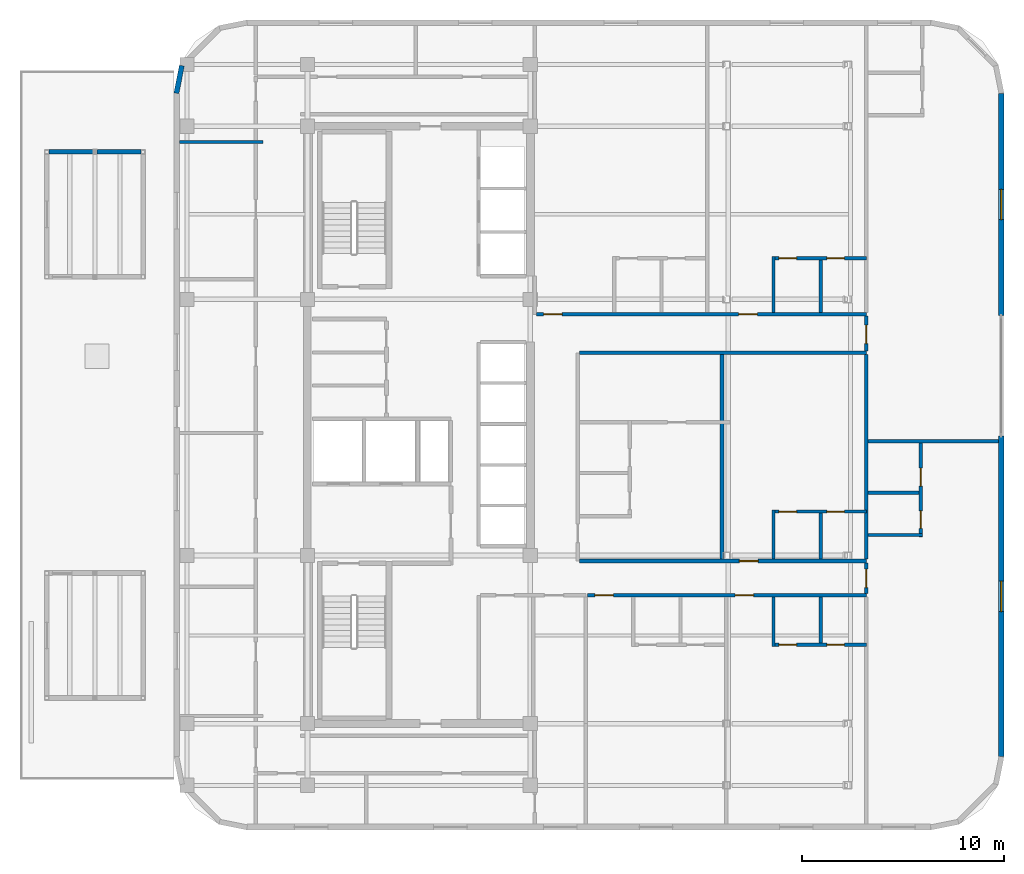
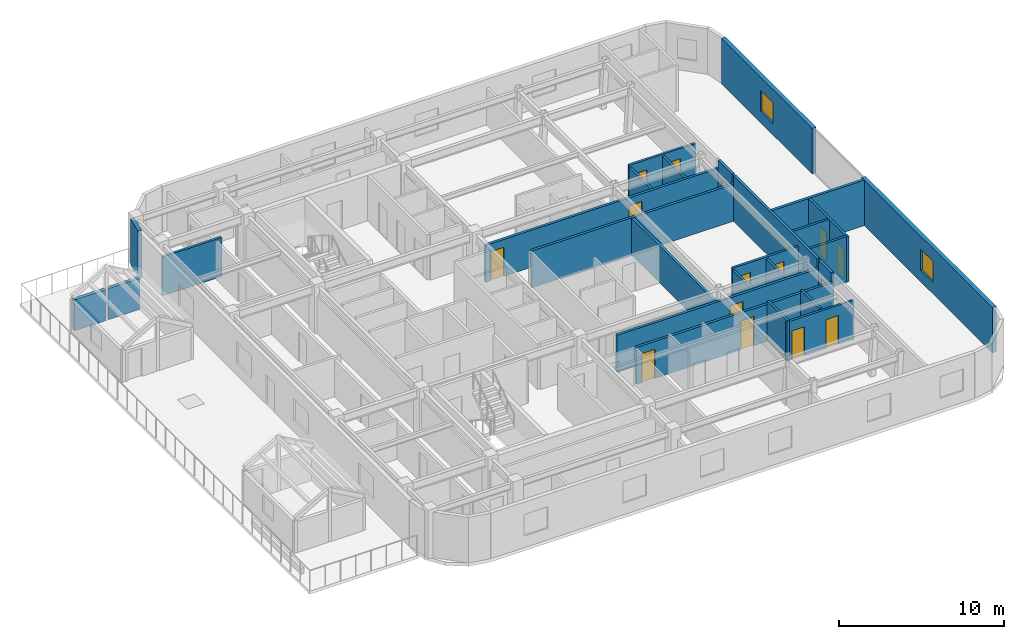
# One storey, part 14 of 16: 27 walls, 15 doors, 2 windows, 17 openings.
"""IFC4 building model written with IfcOpenShell, lengths in metres."""

from ifc_helpers import new_model, si_unit, direction, frame, frame_2d, origin, place, context, subcontext, project, spatial, rectangle, extrude, material, layer, layer_set, type_object, element, fill, save


model = new_model("IFC4")

# Units and contexts
model_context = context("Model", 3, precision=1e-05, world=origin(), true_north=direction((0.0, 1.0)))
body_context = subcontext(model_context, "Body", "Model", "MODEL_VIEW")
ifc_project = project(units=[si_unit("LENGTHUNIT", "METRE"), si_unit("AREAUNIT", "SQUARE_METRE"), si_unit("VOLUMEUNIT", "CUBIC_METRE"), si_unit("PLANEANGLEUNIT", "RADIAN"), si_unit("MASSUNIT", "GRAM", prefix="KILO")], contexts=[model_context])

# Site, building, storey
site_placement = place(None, origin())
site = spatial("IfcSite", under=ifc_project, at=site_placement, CompositionType="ELEMENT")
building_placement = place(site_placement, origin())
building = spatial("IfcBuilding", under=site, at=building_placement, Name="Ochreholt Gables", CompositionType="ELEMENT")
storey_placement = place(building_placement, frame((0.0, 0.0, 141.0)))
storey = spatial("IfcBuildingStorey", under=building, at=storey_placement, Name="L36", CompositionType="ELEMENT", Elevation=141.0)

# Wall, opening, window
ifc_material_1 = material(Name="Precast concrete 40 MPa", Category="concrete")
ifc_layer_1 = layer(ifc_material_1, 0.280029296875, Name="Precast concrete 40 MPa")
ifc_layer_set_1 = layer_set([ifc_layer_1], Name="Precast concrete 40 MPa")
wall_type_1 = type_object("IfcWallType", Name="WALL-EXT-280", PredefinedType="SOLIDWALL", material=ifc_layer_set_1)
wall_1_placement = place(storey_placement, frame((58.4599609375, 7.6201171875, 0.0), z_axis=(0.0, 0.0, 1.0), x_axis=(0.0, 1.0, 0.0)))
wall_1 = element("IfcWall", 1, at=wall_1_placement, inside=storey, type_object=wall_type_1, Name="L36 East Facade Wall 1", PredefinedType="SOLIDWALL", context=body_context, shape_type="SweptSolid", body=[
    extrude(rectangle(XDim=15.829833984375, YDim=0.280029296875, at=frame_2d((7.9150390625, 0.0))), origin(), (0.0, 0.0, 1.0), 3.360107421875),
])
opening_1_placement = place(wall_1_placement, frame((7.1650390625, 0.0, 0.85009765625)))
opening_1 = element("IfcOpeningElement", 2, at=opening_1_placement, cuts=wall_1, Name="Opening WN-2", PredefinedType="OPENING", context=body_context, shape_type="SweptSolid", body=[
    extrude(rectangle(XDim=1.5, YDim=1.550048828125, at=frame_2d((0.75, 0.77490234375))), frame((0.0, 0.14990234375, 0.0), z_axis=(0.0, -1.0, 0.0), x_axis=(1.0, 0.0, 0.0)), (0.0, 0.0, 1.0), 0.300048828125),
])
ifc_material_2 = material(Name="Triple-Glazed Thermally Broken Aluminium Window", Category="aluminium")
window_type = type_object("IfcWindowType", Name="WIN-RES-1500", PartitioningType="SINGLE_PANEL", PredefinedType="WINDOW", material=ifc_material_2)
window_1_placement = place(opening_1_placement, origin())
window_1 = element("IfcWindow", 3, at=window_1_placement, inside=storey, type_object=window_type, Name="L36 Window W-EXT-E1-L36-1", OverallHeight=1.550048828125, OverallWidth=1.5, PartitioningType="SINGLE_PANEL", PredefinedType="WINDOW", context=body_context, shape_type="SweptSolid", body=[
    extrude(rectangle(XDim=1.5, YDim=1.550048828125, at=frame_2d((0.75, 0.77490234375))), frame((0.0, 0.030029296875, 0.0), z_axis=(0.0, -1.0, 0.0), x_axis=(1.0, 0.0, 0.0)), (0.0, 0.0, 1.0), 0.06005859375),
])
fill(opening_1, window_1)

wall_2_placement = place(storey_placement, frame((58.4599609375, 29.39990234375, 0.0), z_axis=(0.0, 0.0, 1.0), x_axis=(0.0, 1.0, 0.0)))
wall_2 = element("IfcWall", 4, at=wall_2_placement, inside=storey, type_object=wall_type_1, Name="L36 East Facade Wall 2", PredefinedType="SOLIDWALL", context=body_context, shape_type="SweptSolid", body=[
    extrude(rectangle(XDim=10.97998046875, YDim=0.280029296875, at=frame_2d((5.489990234375, 0.0))), origin(), (0.0, 0.0, 1.0), 3.360107421875),
])
opening_2_placement = place(wall_2_placement, frame((4.739990234375, 0.0, 0.85009765625)))
opening_2 = element("IfcOpeningElement", 5, at=opening_2_placement, cuts=wall_2, Name="Opening WN-2", PredefinedType="OPENING", context=body_context, shape_type="SweptSolid", body=[
    extrude(rectangle(XDim=1.5, YDim=1.550048828125, at=frame_2d((0.75, 0.77490234375))), frame((0.0, 0.14990234375, 0.0), z_axis=(0.0, -1.0, 0.0), x_axis=(1.0, 0.0, 0.0)), (0.0, 0.0, 1.0), 0.300048828125),
])
window_2_placement = place(opening_2_placement, origin())
window_2 = element("IfcWindow", 6, at=window_2_placement, inside=storey, type_object=window_type, Name="L36 Window W-EXT-E2-L36-1", OverallHeight=1.550048828125, OverallWidth=1.5, PartitioningType="SINGLE_PANEL", PredefinedType="WINDOW", context=body_context, shape_type="SweptSolid", body=[
    extrude(rectangle(XDim=1.5, YDim=1.550048828125, at=frame_2d((0.75, 0.77490234375))), frame((0.0, 0.030029296875, 0.0), z_axis=(0.0, -1.0, 0.0), x_axis=(1.0, 0.0, 0.0)), (0.0, 0.0, 1.0), 0.06005859375),
])
fill(opening_2, window_2)

# Walls
ifc_layer_2 = layer(ifc_material_1, 0.25, Name="Precast concrete 40 MPa")
ifc_layer_set_2 = layer_set([ifc_layer_2], Name="Precast concrete 40 MPa")
wall_type_2 = type_object("IfcWallType", Name="WALL-EXT-CNR", PredefinedType="SOLIDWALL", material=ifc_layer_set_2)
wall_3_placement = place(storey_placement, frame((17.9951171875, 41.74560546875, 0.0), z_axis=(0.0, 0.0, 1.0), x_axis=(-0.195135625965, -0.9807762678, 0.0)))
element("IfcWall", 7, at=wall_3_placement, inside=storey, type_object=wall_type_2, Name="L36 Rounded Corner Wall NW-3", PredefinedType="SOLIDWALL", context=body_context, shape_type="SweptSolid", body=[
    extrude(rectangle(XDim=1.388671875, YDim=0.25, at=frame_2d((0.6943359375, 0.0))), origin(), (0.0, 0.0, 1.0), 3.360107421875),
])
ifc_layer_3 = layer(ifc_material_1, 0.22998046875, Name="Precast concrete 40 MPa")
ifc_layer_set_3 = layer_set([ifc_layer_3], Name="Precast concrete 40 MPa")
wall_type_3 = type_object("IfcWallType", Name="WALL-EXT-GAB", PredefinedType="SOLIDWALL", material=ifc_layer_set_3)
wall_4_placement = place(storey_placement, frame((11.422119140625, 37.485107421875, 0.0), z_axis=(0.0, 0.0, 1.0), x_axis=(1.0, 0.0, 0.0)))
element("IfcWall", 8, at=wall_4_placement, inside=storey, type_object=wall_type_3, Name="L36 Gable End Wall GB-36W2-N1", PredefinedType="SOLIDWALL", context=body_context, shape_type="SweptSolid", body=[
    extrude(rectangle(XDim=2.17578125, YDim=0.22998046875, at=frame_2d((1.087890625, 0.0))), origin(), (0.0, 0.0, 1.0), 2.285400390625),
])
wall_5_placement = place(storey_placement, frame((13.802001953125, 37.485107421875, 0.0), z_axis=(0.0, 0.0, 1.0), x_axis=(1.0, 0.0, 0.0)))
element("IfcWall", 9, at=wall_5_placement, inside=storey, type_object=wall_type_3, Name="L36 Gable End Wall GB-36W2-N2", PredefinedType="SOLIDWALL", context=body_context, shape_type="SweptSolid", body=[
    extrude(rectangle(XDim=2.176025390625, YDim=0.22998046875, at=frame_2d((1.087890625, 0.0))), origin(), (0.0, 0.0, 1.0), 2.285400390625),
])

# Wall, openings, doors
ifc_material_3 = material(Name="Fire-Rated Gypsum Acoustic Partition", Category="gypsum")
ifc_layer_4 = layer(ifc_material_3, 0.179931640625, Name="Fire-Rated Gypsum Acoustic Partition")
ifc_layer_set_4 = layer_set([ifc_layer_4], Name="Fire-Rated Gypsum Acoustic Partition")
wall_type_4 = type_object("IfcWallType", Name="WALL-INT-CR180", PredefinedType="STANDARD", material=ifc_layer_set_4)
wall_6_placement = place(storey_placement, frame((38.032470703125, 15.580078125, 0.0), z_axis=(0.0, 0.0, 1.0), x_axis=(1.0, 0.0, 0.0)))
wall_6 = element("IfcWall", 10, at=wall_6_placement, inside=storey, type_object=wall_type_4, Name="L36 Interior Wall WI-C2SS1-L36", PredefinedType="STANDARD", context=body_context, shape_type="SweptSolid", body=[
    extrude(rectangle(XDim=13.767578125, YDim=0.179931640625, at=frame_2d((6.8837890625, 0.0))), origin(), (0.0, 0.0, 1.0), 2.72998046875),
])
opening_3_placement = place(wall_6_placement, frame((0.357421875, 0.0, 0.0)))
opening_3 = element("IfcOpeningElement", 11, at=opening_3_placement, cuts=wall_6, Name="Opening D-UN1", PredefinedType="OPENING", context=body_context, shape_type="SweptSolid", body=[
    extrude(rectangle(XDim=0.919921875, YDim=2.14990234375, at=frame_2d((0.4599609375, 1.074951171875))), frame((0.0, 0.099853515625, 0.0), z_axis=(0.0, -1.0, 0.0), x_axis=(1.0, 0.0, 0.0)), (0.0, 0.0, 1.0), 0.199951171875),
])
opening_4_placement = place(wall_6_placement, frame((7.282470703125, 0.0, 0.0)))
opening_4 = element("IfcOpeningElement", 12, at=opening_4_placement, cuts=wall_6, Name="Opening D-UN1", PredefinedType="OPENING", context=body_context, shape_type="SweptSolid", body=[
    extrude(rectangle(XDim=0.919921875, YDim=2.14990234375, at=frame_2d((0.4599609375, 1.074951171875))), frame((0.0, 0.099853515625, 0.0), z_axis=(0.0, -1.0, 0.0), x_axis=(1.0, 0.0, 0.0)), (0.0, 0.0, 1.0), 0.199951171875),
])
ifc_material_4 = material(Name="Engineered Oak Timber", Category="wood")
door_type_1 = type_object("IfcDoorType", Name="DR-INT-UNT920", OperationType="NOTDEFINED", PredefinedType="DOOR", material=ifc_material_4)
door_1_placement = place(opening_3_placement, origin())
door_1 = element("IfcDoor", 13, at=door_1_placement, inside=storey, type_object=door_type_1, Name="L36 Door D-U-L36S1-ENT", OperationType="SINGLE_SWING_RIGHT", OverallHeight=2.14990234375, OverallWidth=0.919921875, PredefinedType="DOOR", context=body_context, shape_type="SweptSolid", body=[
    extrude(rectangle(XDim=0.919921875, YDim=2.14990234375, at=frame_2d((0.4599609375, 1.074951171875))), frame((0.0, 0.02490234375, 0.0), z_axis=(0.0, -1.0, 0.0), x_axis=(1.0, 0.0, 0.0)), (0.0, 0.0, 1.0), 0.050048828125),
])
fill(opening_3, door_1)
door_2_placement = place(opening_4_placement, origin())
door_2 = element("IfcDoor", 14, at=door_2_placement, inside=storey, type_object=door_type_1, Name="L36 Door D-U-L36S2-ENT", OperationType="SINGLE_SWING_LEFT", OverallHeight=2.14990234375, OverallWidth=0.919921875, PredefinedType="DOOR", context=body_context, shape_type="SweptSolid", body=[
    extrude(rectangle(XDim=0.919921875, YDim=2.14990234375, at=frame_2d((0.4599609375, 1.074951171875))), frame((0.0, 0.02490234375, 0.0), z_axis=(0.0, -1.0, 0.0), x_axis=(1.0, 0.0, 0.0)), (0.0, 0.0, 1.0), 0.050048828125),
])
fill(opening_4, door_2)

# Wall, opening, door
wall_7_placement = place(storey_placement, frame((37.639892578125, 17.280029296875, 0.0), z_axis=(0.0, 0.0, 1.0), x_axis=(1.0, 0.0, 0.0)))
wall_7 = element("IfcWall", 15, at=wall_7_placement, inside=storey, type_object=wall_type_4, Name="L36 Interior Wall WI-C2SS2-L36", PredefinedType="STANDARD", context=body_context, shape_type="SweptSolid", body=[
    extrude(rectangle(XDim=14.16015625, YDim=0.179931640625, at=frame_2d((7.080078125, 0.0))), origin(), (0.0, 0.0, 1.0), 2.72998046875),
])
opening_5_placement = place(wall_7_placement, frame((7.89501953125, 0.0, 0.0)))
opening_5 = element("IfcOpeningElement", 16, at=opening_5_placement, cuts=wall_7, Name="Opening D-UN1", PredefinedType="OPENING", context=body_context, shape_type="SweptSolid", body=[
    extrude(rectangle(XDim=0.919921875, YDim=2.14990234375, at=frame_2d((0.4599609375, 1.074951171875))), frame((0.0, 0.099853515625, 0.0), z_axis=(0.0, -1.0, 0.0), x_axis=(1.0, 0.0, 0.0)), (0.0, 0.0, 1.0), 0.199951171875),
])
door_3_placement = place(opening_5_placement, origin())
door_3 = element("IfcDoor", 17, at=door_3_placement, inside=storey, type_object=door_type_1, Name="L36 Door D-U-L36M2-ENT", OperationType="SINGLE_SWING_LEFT", OverallHeight=2.14990234375, OverallWidth=0.919921875, PredefinedType="DOOR", context=body_context, shape_type="SweptSolid", body=[
    extrude(rectangle(XDim=0.919921875, YDim=2.14990234375, at=frame_2d((0.4599609375, 1.074951171875))), frame((0.0, 0.02490234375, 0.0), z_axis=(0.0, -1.0, 0.0), x_axis=(1.0, 0.0, 0.0)), (0.0, 0.0, 1.0), 0.050048828125),
])
fill(opening_5, door_3)

# Wall
wall_8_placement = place(storey_placement, frame((37.639892578125, 27.56005859375, 0.0), z_axis=(0.0, 0.0, 1.0), x_axis=(1.0, 0.0, 0.0)))
element("IfcWall", 18, at=wall_8_placement, inside=storey, type_object=wall_type_4, Name="L36 Interior Wall WI-C2SN1-L36", PredefinedType="STANDARD", context=body_context, shape_type="SweptSolid", body=[
    extrude(rectangle(XDim=14.16015625, YDim=0.179931640625, at=frame_2d((7.080078125, 0.0))), origin(), (0.0, 0.0, 1.0), 2.72998046875),
])

# Wall, openings, doors
wall_9_placement = place(storey_placement, frame((35.510009765625, 29.4599609375, 0.0), z_axis=(0.0, 0.0, 1.0), x_axis=(1.0, 0.0, 0.0)))
wall_9 = element("IfcWall", 19, at=wall_9_placement, inside=storey, type_object=wall_type_4, Name="L36 Interior Wall WI-C2SN2-L36", PredefinedType="STANDARD", context=body_context, shape_type="SweptSolid", body=[
    extrude(rectangle(XDim=16.2900390625, YDim=0.179931640625, at=frame_2d((8.14501953125, 0.0))), origin(), (0.0, 0.0, 1.0), 2.72998046875),
])
opening_6_placement = place(wall_9_placement, frame((0.35009765625, 0.0, 0.0)))
opening_6 = element("IfcOpeningElement", 20, at=opening_6_placement, cuts=wall_9, Name="Opening D-UN1", PredefinedType="OPENING", context=body_context, shape_type="SweptSolid", body=[
    extrude(rectangle(XDim=0.919921875, YDim=2.14990234375, at=frame_2d((0.4599609375, 1.074951171875))), frame((0.0, 0.099853515625, 0.0), z_axis=(0.0, -1.0, 0.0), x_axis=(1.0, 0.0, 0.0)), (0.0, 0.0, 1.0), 0.199951171875),
])
opening_7_placement = place(wall_9_placement, frame((9.987548828125, 0.0, 0.0)))
opening_7 = element("IfcOpeningElement", 21, at=opening_7_placement, cuts=wall_9, Name="Opening D-UN1", PredefinedType="OPENING", context=body_context, shape_type="SweptSolid", body=[
    extrude(rectangle(XDim=0.919921875, YDim=2.14990234375, at=frame_2d((0.4599609375, 1.074951171875))), frame((0.0, 0.099853515625, 0.0), z_axis=(0.0, -1.0, 0.0), x_axis=(1.0, 0.0, 0.0)), (0.0, 0.0, 1.0), 0.199951171875),
])
door_4_placement = place(opening_6_placement, origin())
door_4 = element("IfcDoor", 22, at=door_4_placement, inside=storey, type_object=door_type_1, Name="L36 Door D-U-L36N1-ENT", OperationType="SINGLE_SWING_RIGHT", OverallHeight=2.14990234375, OverallWidth=0.919921875, PredefinedType="DOOR", context=body_context, shape_type="SweptSolid", body=[
    extrude(rectangle(XDim=0.919921875, YDim=2.14990234375, at=frame_2d((0.4599609375, 1.074951171875))), frame((0.0, 0.02490234375, 0.0), z_axis=(0.0, -1.0, 0.0), x_axis=(1.0, 0.0, 0.0)), (0.0, 0.0, 1.0), 0.050048828125),
])
fill(opening_6, door_4)
door_5_placement = place(opening_7_placement, origin())
door_5 = element("IfcDoor", 23, at=door_5_placement, inside=storey, type_object=door_type_1, Name="L36 Door D-U-L36N2-ENT", OperationType="SINGLE_SWING_LEFT", OverallHeight=2.14990234375, OverallWidth=0.919921875, PredefinedType="DOOR", context=body_context, shape_type="SweptSolid", body=[
    extrude(rectangle(XDim=0.919921875, YDim=2.14990234375, at=frame_2d((0.4599609375, 1.074951171875))), frame((0.0, 0.02490234375, 0.0), z_axis=(0.0, -1.0, 0.0), x_axis=(1.0, 0.0, 0.0)), (0.0, 0.0, 1.0), 0.050048828125),
])
fill(opening_7, door_5)

# Wall, opening, door
wall_10_placement = place(storey_placement, frame((51.800048828125, 15.669921875, 0.0), z_axis=(0.0, 0.0, 1.0), x_axis=(0.0, 1.0, 0.0)))
wall_10 = element("IfcWall", 24, at=wall_10_placement, inside=storey, type_object=wall_type_4, Name="L36 Interior Wall WI-C2SSE-L36", PredefinedType="STANDARD", context=body_context, shape_type="SweptSolid", body=[
    extrude(rectangle(XDim=1.52001953125, YDim=0.179931640625, at=frame_2d((0.760009765625, 0.0))), origin(), (0.0, 0.0, 1.0), 3.360107421875),
])
opening_8_placement = place(wall_10_placement, frame((0.2900390625, 0.0, 0.0)))
opening_8 = element("IfcOpeningElement", 25, at=opening_8_placement, cuts=wall_10, Name="Opening D-UN1", PredefinedType="OPENING", context=body_context, shape_type="SweptSolid", body=[
    extrude(rectangle(XDim=0.919921875, YDim=2.14990234375, at=frame_2d((0.4599609375, 1.074951171875))), frame((0.0, 0.099853515625, 0.0), z_axis=(0.0, -1.0, 0.0), x_axis=(1.0, 0.0, 0.0)), (0.0, 0.0, 1.0), 0.199951171875),
])
door_6_placement = place(opening_8_placement, origin())
door_6 = element("IfcDoor", 26, at=door_6_placement, inside=storey, type_object=door_type_1, Name="L36 Door D-U-L36FES-ENT", OperationType="SINGLE_SWING_RIGHT", OverallHeight=2.14990234375, OverallWidth=0.919921875, PredefinedType="DOOR", context=body_context, shape_type="SweptSolid", body=[
    extrude(rectangle(XDim=0.919921875, YDim=2.14990234375, at=frame_2d((0.4599609375, 1.074951171875))), frame((0.0, 0.02490234375, 0.0), z_axis=(0.0, -1.0, 0.0), x_axis=(1.0, 0.0, 0.0)), (0.0, 0.0, 1.0), 0.050048828125),
])
fill(opening_8, door_6)

wall_11_placement = place(storey_placement, frame((51.800048828125, 27.64990234375, 0.0), z_axis=(0.0, 0.0, 1.0), x_axis=(0.0, 1.0, 0.0)))
wall_11 = element("IfcWall", 27, at=wall_11_placement, inside=storey, type_object=wall_type_4, Name="L36 Interior Wall WI-C2SNE-L36", PredefinedType="STANDARD", context=body_context, shape_type="SweptSolid", body=[
    extrude(rectangle(XDim=1.72021484375, YDim=0.179931640625, at=frame_2d((0.860107421875, 0.0))), origin(), (0.0, 0.0, 1.0), 3.360107421875),
])
opening_9_placement = place(wall_11_placement, frame((0.360107421875, 0.0, 0.0)))
opening_9 = element("IfcOpeningElement", 28, at=opening_9_placement, cuts=wall_11, Name="Opening D-UN1", PredefinedType="OPENING", context=body_context, shape_type="SweptSolid", body=[
    extrude(rectangle(XDim=0.919921875, YDim=2.14990234375, at=frame_2d((0.4599609375, 1.074951171875))), frame((0.0, 0.099853515625, 0.0), z_axis=(0.0, -1.0, 0.0), x_axis=(1.0, 0.0, 0.0)), (0.0, 0.0, 1.0), 0.199951171875),
])
door_7_placement = place(opening_9_placement, origin())
door_7 = element("IfcDoor", 29, at=door_7_placement, inside=storey, type_object=door_type_1, Name="L36 Door D-U-L36FEN-ENT", OperationType="SINGLE_SWING_LEFT", OverallHeight=2.14990234375, OverallWidth=0.919921875, PredefinedType="DOOR", context=body_context, shape_type="SweptSolid", body=[
    extrude(rectangle(XDim=0.919921875, YDim=2.14990234375, at=frame_2d((0.4599609375, 1.074951171875))), frame((0.0, 0.02490234375, 0.0), z_axis=(0.0, -1.0, 0.0), x_axis=(1.0, 0.0, 0.0)), (0.0, 0.0, 1.0), 0.050048828125),
])
fill(opening_9, door_7)

# Walls
ifc_material_5 = material(Name="Double-Stud Acoustic Demising Wall", Category="gypsum")
ifc_layer_5 = layer(ifc_material_5, 0.179931640625, Name="Double-Stud Acoustic Demising Wall")
ifc_layer_set_5 = layer_set([ifc_layer_5], Name="Double-Stud Acoustic Demising Wall")
wall_type_5 = type_object("IfcWallType", Name="WALL-INT-DM180", PredefinedType="PARTITIONING", material=ifc_layer_set_5)
wall_12_placement = place(storey_placement, frame((44.675048828125, 17.3701171875, 0.0), z_axis=(0.0, 0.0, 1.0), x_axis=(0.0, 1.0, 0.0)))
element("IfcWall", 30, at=wall_12_placement, inside=storey, type_object=wall_type_5, Name="L36 Interior Wall WI-C2UDM-L36", PredefinedType="PARTITIONING", context=body_context, shape_type="SweptSolid", body=[
    extrude(rectangle(XDim=10.099853515625, YDim=0.179931640625, at=frame_2d((5.0498046875, 0.0))), origin(), (0.0, 0.0, 1.0), 2.72998046875),
])
wall_13_placement = place(storey_placement, frame((51.800048828125, 17.3701171875, 0.0), z_axis=(0.0, 0.0, 1.0), x_axis=(0.0, 1.0, 0.0)))
element("IfcWall", 31, at=wall_13_placement, inside=storey, type_object=wall_type_5, Name="L36 Interior Wall WI-C2FEW2-L36", PredefinedType="PARTITIONING", context=body_context, shape_type="SweptSolid", body=[
    extrude(rectangle(XDim=10.099853515625, YDim=0.179931640625, at=frame_2d((5.0498046875, 0.0))), origin(), (0.0, 0.0, 1.0), 3.360107421875),
])
wall_14_placement = place(storey_placement, frame((51.889892578125, 23.199951171875, 0.0), z_axis=(0.0, 0.0, 1.0), x_axis=(1.0, 0.0, 0.0)))
element("IfcWall", 32, at=wall_14_placement, inside=storey, type_object=wall_type_5, Name="L36 Interior Wall WI-C2FED-L36", PredefinedType="PARTITIONING", context=body_context, shape_type="SweptSolid", body=[
    extrude(rectangle(XDim=6.43017578125, YDim=0.179931640625, at=frame_2d((3.215087890625, 0.0))), origin(), (0.0, 0.0, 1.0), 3.360107421875),
])

# Wall, openings, doors
ifc_material_6 = material(Name="Moisture-Resistant Plumbing Chase Wall", Category="gypsum")
ifc_layer_6 = layer(ifc_material_6, 0.159912109375, Name="Moisture-Resistant Plumbing Chase Wall")
ifc_layer_set_6 = layer_set([ifc_layer_6], Name="Moisture-Resistant Plumbing Chase Wall")
wall_type_6 = type_object("IfcWallType", Name="WALL-INT-PL160", PredefinedType="PLUMBINGWALL", material=ifc_layer_set_6)
wall_15_placement = place(storey_placement, frame((47.1298828125, 13.139892578125, 0.0), z_axis=(0.0, 0.0, 1.0), x_axis=(1.0, 0.0, 0.0)))
wall_15 = element("IfcWall", 33, at=wall_15_placement, inside=storey, type_object=wall_type_6, Name="L36 Interior Wall WU-L36S2-WY", PredefinedType="PLUMBINGWALL", context=body_context, shape_type="SweptSolid", body=[
    extrude(rectangle(XDim=4.670166015625, YDim=0.159912109375, at=frame_2d((2.3349609375, 0.0))), origin(), (0.0, 0.0, 1.0), 2.87890625),
])
opening_10_placement = place(wall_15_placement, frame((0.35009765625, 0.0, 0.0)))
opening_10 = element("IfcOpeningElement", 34, at=opening_10_placement, cuts=wall_15, Name="Opening D-GN2", PredefinedType="OPENING", context=body_context, shape_type="SweptSolid", body=[
    extrude(rectangle(XDim=0.8798828125, YDim=2.1201171875, at=frame_2d((0.43994140625, 1.06005859375))), frame((0.0, 0.08984375, 0.0), z_axis=(0.0, -1.0, 0.0), x_axis=(1.0, 0.0, 0.0)), (0.0, 0.0, 1.0), 0.179931640625),
])
opening_11_placement = place(wall_15_placement, frame((2.719970703125, 0.0, 0.0)))
opening_11 = element("IfcOpeningElement", 35, at=opening_11_placement, cuts=wall_15, Name="Opening D-BT1", PredefinedType="OPENING", context=body_context, shape_type="SweptSolid", body=[
    extrude(rectangle(XDim=0.860107421875, YDim=2.1201171875, at=frame_2d((0.43017578125, 1.06005859375))), frame((0.0, 0.08984375, 0.0), z_axis=(0.0, -1.0, 0.0), x_axis=(1.0, 0.0, 0.0)), (0.0, 0.0, 1.0), 0.179931640625),
])
door_type_2 = type_object("IfcDoorType", Name="DR-INT-BTH860", OperationType="NOTDEFINED", PredefinedType="DOOR", material=ifc_material_4)
door_8_placement = place(opening_11_placement, origin())
door_8 = element("IfcDoor", 36, at=door_8_placement, inside=storey, type_object=door_type_2, Name="L36 Door D-U-L36S2-BTH", OperationType="SINGLE_SWING_LEFT", OverallHeight=2.1201171875, OverallWidth=0.860107421875, PredefinedType="DOOR", context=body_context, shape_type="SweptSolid", body=[
    extrude(rectangle(XDim=0.860107421875, YDim=2.1201171875, at=frame_2d((0.43017578125, 1.06005859375))), frame((0.0, 0.02490234375, 0.0), z_axis=(0.0, -1.0, 0.0), x_axis=(1.0, 0.0, 0.0)), (0.0, 0.0, 1.0), 0.050048828125),
])
fill(opening_11, door_8)
door_type_3 = type_object("IfcDoorType", Name="DR-INT-GEN880", OperationType="NOTDEFINED", PredefinedType="DOOR", material=ifc_material_4)
door_9_placement = place(opening_10_placement, origin())
door_9 = element("IfcDoor", 37, at=door_9_placement, inside=storey, type_object=door_type_3, Name="L36 Door D-U-L36S2-KIT", OperationType="SINGLE_SWING_RIGHT", OverallHeight=2.1201171875, OverallWidth=0.8798828125, PredefinedType="DOOR", context=body_context, shape_type="SweptSolid", body=[
    extrude(rectangle(XDim=0.8798828125, YDim=2.1201171875, at=frame_2d((0.43994140625, 1.06005859375))), frame((0.0, 0.02490234375, 0.0), z_axis=(0.0, -1.0, 0.0), x_axis=(1.0, 0.0, 0.0)), (0.0, 0.0, 1.0), 0.050048828125),
])
fill(opening_10, door_9)

# Walls
wall_16_placement = place(storey_placement, frame((47.2099609375, 13.06005859375, 0.0), z_axis=(0.0, 0.0, 1.0), x_axis=(0.0, 1.0, 0.0)))
element("IfcWall", 38, at=wall_16_placement, inside=storey, type_object=wall_type_6, Name="L36 Interior Wall WU-L36S2-FY", PredefinedType="PLUMBINGWALL", context=body_context, shape_type="SweptSolid", body=[
    extrude(rectangle(XDim=2.429931640625, YDim=0.159912109375, at=frame_2d((1.21484375, 0.0))), origin(), (0.0, 0.0, 1.0), 2.98388671875),
])
wall_17_placement = place(storey_placement, frame((49.550048828125, 13.219970703125, 0.0), z_axis=(0.0, 0.0, 1.0), x_axis=(0.0, 1.0, 0.0)))
element("IfcWall", 39, at=wall_17_placement, inside=storey, type_object=wall_type_6, Name="L36 Interior Wall WU-L36S2-WK", PredefinedType="PLUMBINGWALL", context=body_context, shape_type="SweptSolid", body=[
    extrude(rectangle(XDim=2.27001953125, YDim=0.159912109375, at=frame_2d((1.135009765625, 0.0))), origin(), (0.0, 0.0, 1.0), 2.98388671875),
])

# Wall, openings, doors
wall_18_placement = place(storey_placement, frame((47.1298828125, 32.22998046875, 0.0), z_axis=(0.0, 0.0, 1.0), x_axis=(1.0, 0.0, 0.0)))
wall_18 = element("IfcWall", 40, at=wall_18_placement, inside=storey, type_object=wall_type_6, Name="L36 Interior Wall WU-L36N2-WY", PredefinedType="PLUMBINGWALL", context=body_context, shape_type="SweptSolid", body=[
    extrude(rectangle(XDim=4.670166015625, YDim=0.159912109375, at=frame_2d((2.3349609375, 0.0))), origin(), (0.0, 0.0, 1.0), 2.87890625),
])
opening_12_placement = place(wall_18_placement, frame((0.35009765625, 0.0, 0.0)))
opening_12 = element("IfcOpeningElement", 41, at=opening_12_placement, cuts=wall_18, Name="Opening D-GN2", PredefinedType="OPENING", context=body_context, shape_type="SweptSolid", body=[
    extrude(rectangle(XDim=0.8798828125, YDim=2.1201171875, at=frame_2d((0.43994140625, 1.06005859375))), frame((0.0, 0.08984375, 0.0), z_axis=(0.0, -1.0, 0.0), x_axis=(1.0, 0.0, 0.0)), (0.0, 0.0, 1.0), 0.179931640625),
])
opening_13_placement = place(wall_18_placement, frame((2.719970703125, 0.0, 0.0)))
opening_13 = element("IfcOpeningElement", 42, at=opening_13_placement, cuts=wall_18, Name="Opening D-BT1", PredefinedType="OPENING", context=body_context, shape_type="SweptSolid", body=[
    extrude(rectangle(XDim=0.860107421875, YDim=2.1201171875, at=frame_2d((0.43017578125, 1.06005859375))), frame((0.0, 0.08984375, 0.0), z_axis=(0.0, -1.0, 0.0), x_axis=(1.0, 0.0, 0.0)), (0.0, 0.0, 1.0), 0.179931640625),
])
door_10_placement = place(opening_13_placement, origin())
door_10 = element("IfcDoor", 43, at=door_10_placement, inside=storey, type_object=door_type_2, Name="L36 Door D-U-L36N2-BTH", OperationType="SINGLE_SWING_LEFT", OverallHeight=2.1201171875, OverallWidth=0.860107421875, PredefinedType="DOOR", context=body_context, shape_type="SweptSolid", body=[
    extrude(rectangle(XDim=0.860107421875, YDim=2.1201171875, at=frame_2d((0.43017578125, 1.06005859375))), frame((0.0, 0.02490234375, 0.0), z_axis=(0.0, -1.0, 0.0), x_axis=(1.0, 0.0, 0.0)), (0.0, 0.0, 1.0), 0.050048828125),
])
fill(opening_13, door_10)
door_11_placement = place(opening_12_placement, origin())
door_11 = element("IfcDoor", 44, at=door_11_placement, inside=storey, type_object=door_type_3, Name="L36 Door D-U-L36N2-KIT", OperationType="SINGLE_SWING_RIGHT", OverallHeight=2.1201171875, OverallWidth=0.8798828125, PredefinedType="DOOR", context=body_context, shape_type="SweptSolid", body=[
    extrude(rectangle(XDim=0.8798828125, YDim=2.1201171875, at=frame_2d((0.43994140625, 1.06005859375))), frame((0.0, 0.02490234375, 0.0), z_axis=(0.0, -1.0, 0.0), x_axis=(1.0, 0.0, 0.0)), (0.0, 0.0, 1.0), 0.050048828125),
])
fill(opening_12, door_11)

# Walls
wall_19_placement = place(storey_placement, frame((47.2099609375, 29.550048828125, 0.0), z_axis=(0.0, 0.0, 1.0), x_axis=(0.0, 1.0, 0.0)))
element("IfcWall", 45, at=wall_19_placement, inside=storey, type_object=wall_type_6, Name="L36 Interior Wall WU-L36N2-FY", PredefinedType="PLUMBINGWALL", context=body_context, shape_type="SweptSolid", body=[
    extrude(rectangle(XDim=2.760009765625, YDim=0.159912109375, at=frame_2d((1.3798828125, 0.0))), origin(), (0.0, 0.0, 1.0), 2.72998046875),
])
wall_20_placement = place(storey_placement, frame((49.550048828125, 29.550048828125, 0.0), z_axis=(0.0, 0.0, 1.0), x_axis=(0.0, 1.0, 0.0)))
element("IfcWall", 46, at=wall_20_placement, inside=storey, type_object=wall_type_6, Name="L36 Interior Wall WU-L36N2-WK", PredefinedType="PLUMBINGWALL", context=body_context, shape_type="SweptSolid", body=[
    extrude(rectangle(XDim=2.599853515625, YDim=0.159912109375, at=frame_2d((1.2998046875, 0.0))), origin(), (0.0, 0.0, 1.0), 2.72998046875),
])

# Wall, openings, doors
wall_21_placement = place(storey_placement, frame((47.1298828125, 19.719970703125, 0.0), z_axis=(0.0, 0.0, 1.0), x_axis=(1.0, 0.0, 0.0)))
wall_21 = element("IfcWall", 47, at=wall_21_placement, inside=storey, type_object=wall_type_6, Name="L36 Interior Wall WU-L36M2-WY", PredefinedType="PLUMBINGWALL", context=body_context, shape_type="SweptSolid", body=[
    extrude(rectangle(XDim=4.670166015625, YDim=0.159912109375, at=frame_2d((2.3349609375, 0.0))), origin(), (0.0, 0.0, 1.0), 2.87890625),
])
opening_14_placement = place(wall_21_placement, frame((0.35009765625, 0.0, 0.0)))
opening_14 = element("IfcOpeningElement", 48, at=opening_14_placement, cuts=wall_21, Name="Opening D-GN2", PredefinedType="OPENING", context=body_context, shape_type="SweptSolid", body=[
    extrude(rectangle(XDim=0.8798828125, YDim=2.1201171875, at=frame_2d((0.43994140625, 1.06005859375))), frame((0.0, 0.08984375, 0.0), z_axis=(0.0, -1.0, 0.0), x_axis=(1.0, 0.0, 0.0)), (0.0, 0.0, 1.0), 0.179931640625),
])
opening_15_placement = place(wall_21_placement, frame((2.719970703125, 0.0, 0.0)))
opening_15 = element("IfcOpeningElement", 49, at=opening_15_placement, cuts=wall_21, Name="Opening D-BT1", PredefinedType="OPENING", context=body_context, shape_type="SweptSolid", body=[
    extrude(rectangle(XDim=0.860107421875, YDim=2.1201171875, at=frame_2d((0.43017578125, 1.06005859375))), frame((0.0, 0.08984375, 0.0), z_axis=(0.0, -1.0, 0.0), x_axis=(1.0, 0.0, 0.0)), (0.0, 0.0, 1.0), 0.179931640625),
])
door_12_placement = place(opening_15_placement, origin())
door_12 = element("IfcDoor", 50, at=door_12_placement, inside=storey, type_object=door_type_2, Name="L36 Door D-U-L36M2-BTH", OperationType="SINGLE_SWING_LEFT", OverallHeight=2.1201171875, OverallWidth=0.860107421875, PredefinedType="DOOR", context=body_context, shape_type="SweptSolid", body=[
    extrude(rectangle(XDim=0.860107421875, YDim=2.1201171875, at=frame_2d((0.43017578125, 1.06005859375))), frame((0.0, 0.02490234375, 0.0), z_axis=(0.0, -1.0, 0.0), x_axis=(1.0, 0.0, 0.0)), (0.0, 0.0, 1.0), 0.050048828125),
])
fill(opening_15, door_12)
door_13_placement = place(opening_14_placement, origin())
door_13 = element("IfcDoor", 51, at=door_13_placement, inside=storey, type_object=door_type_3, Name="L36 Door D-U-L36M2-KIT", OperationType="SINGLE_SWING_RIGHT", OverallHeight=2.1201171875, OverallWidth=0.8798828125, PredefinedType="DOOR", context=body_context, shape_type="SweptSolid", body=[
    extrude(rectangle(XDim=0.8798828125, YDim=2.1201171875, at=frame_2d((0.43994140625, 1.06005859375))), frame((0.0, 0.02490234375, 0.0), z_axis=(0.0, -1.0, 0.0), x_axis=(1.0, 0.0, 0.0)), (0.0, 0.0, 1.0), 0.050048828125),
])
fill(opening_14, door_13)

# Walls
wall_22_placement = place(storey_placement, frame((47.2099609375, 17.3701171875, 0.0), z_axis=(0.0, 0.0, 1.0), x_axis=(0.0, 1.0, 0.0)))
element("IfcWall", 52, at=wall_22_placement, inside=storey, type_object=wall_type_6, Name="L36 Interior Wall WU-L36M2-FY", PredefinedType="PLUMBINGWALL", context=body_context, shape_type="SweptSolid", body=[
    extrude(rectangle(XDim=2.429931640625, YDim=0.159912109375, at=frame_2d((1.21484375, 0.0))), origin(), (0.0, 0.0, 1.0), 2.72998046875),
])
wall_23_placement = place(storey_placement, frame((49.550048828125, 17.3701171875, 0.0), z_axis=(0.0, 0.0, 1.0), x_axis=(0.0, 1.0, 0.0)))
element("IfcWall", 53, at=wall_23_placement, inside=storey, type_object=wall_type_6, Name="L36 Interior Wall WU-L36M2-WK", PredefinedType="PLUMBINGWALL", context=body_context, shape_type="SweptSolid", body=[
    extrude(rectangle(XDim=2.269775390625, YDim=0.159912109375, at=frame_2d((1.134765625, 0.0))), origin(), (0.0, 0.0, 1.0), 2.72998046875),
])
wall_24_placement = place(storey_placement, frame((51.889892578125, 18.56005859375, 0.0), z_axis=(0.0, 0.0, 1.0), x_axis=(1.0, 0.0, 0.0)))
element("IfcWall", 54, at=wall_24_placement, inside=storey, type_object=wall_type_6, Name="L36 Interior Wall WU-L36FES-WYS", PredefinedType="PLUMBINGWALL", context=body_context, shape_type="SweptSolid", body=[
    extrude(rectangle(XDim=2.68212890625, YDim=0.159912109375, at=frame_2d((1.341064453125, 0.0))), origin(), (0.0, 0.0, 1.0), 3.360107421875),
])

# Wall, openings, doors
wall_25_placement = place(storey_placement, frame((54.491943359375, 18.469970703125, 0.0), z_axis=(0.0, 0.0, 1.0), x_axis=(0.0, 1.0, 0.0)))
wall_25 = element("IfcWall", 55, at=wall_25_placement, inside=storey, type_object=wall_type_6, Name="L36 Interior Wall WU-L36FES-WX", PredefinedType="PLUMBINGWALL", context=body_context, shape_type="SweptSolid", body=[
    extrude(rectangle(XDim=4.64013671875, YDim=0.159912109375, at=frame_2d((2.320068359375, 0.0))), origin(), (0.0, 0.0, 1.0), 3.360107421875),
])
opening_16_placement = place(wall_25_placement, frame((0.419921875, 0.0, 0.0)))
opening_16 = element("IfcOpeningElement", 56, at=opening_16_placement, cuts=wall_25, Name="Opening D-BT1", PredefinedType="OPENING", context=body_context, shape_type="SweptSolid", body=[
    extrude(rectangle(XDim=0.860107421875, YDim=2.1201171875, at=frame_2d((0.43017578125, 1.06005859375))), frame((0.0, 0.08984375, 0.0), z_axis=(0.0, -1.0, 0.0), x_axis=(1.0, 0.0, 0.0)), (0.0, 0.0, 1.0), 0.179931640625),
])
opening_17_placement = place(wall_25_placement, frame((2.512939453125, 0.0, 0.0)))
opening_17 = element("IfcOpeningElement", 57, at=opening_17_placement, cuts=wall_25, Name="Opening D-GN2", PredefinedType="OPENING", context=body_context, shape_type="SweptSolid", body=[
    extrude(rectangle(XDim=0.8798828125, YDim=2.1201171875, at=frame_2d((0.43994140625, 1.06005859375))), frame((0.0, 0.08984375, 0.0), z_axis=(0.0, -1.0, 0.0), x_axis=(1.0, 0.0, 0.0)), (0.0, 0.0, 1.0), 0.179931640625),
])
door_14_placement = place(opening_16_placement, origin())
door_14 = element("IfcDoor", 58, at=door_14_placement, inside=storey, type_object=door_type_2, Name="L36 Door D-U-L36FES-BTH", OperationType="SINGLE_SWING_LEFT", OverallHeight=2.1201171875, OverallWidth=0.860107421875, PredefinedType="DOOR", context=body_context, shape_type="SweptSolid", body=[
    extrude(rectangle(XDim=0.860107421875, YDim=2.1201171875, at=frame_2d((0.43017578125, 1.06005859375))), frame((0.0, 0.02490234375, 0.0), z_axis=(0.0, -1.0, 0.0), x_axis=(1.0, 0.0, 0.0)), (0.0, 0.0, 1.0), 0.050048828125),
])
fill(opening_16, door_14)
door_15_placement = place(opening_17_placement, origin())
door_15 = element("IfcDoor", 59, at=door_15_placement, inside=storey, type_object=door_type_3, Name="L36 Door D-U-L36FES-KIT", OperationType="SINGLE_SWING_RIGHT", OverallHeight=2.1201171875, OverallWidth=0.8798828125, PredefinedType="DOOR", context=body_context, shape_type="SweptSolid", body=[
    extrude(rectangle(XDim=0.8798828125, YDim=2.1201171875, at=frame_2d((0.43994140625, 1.06005859375))), frame((0.0, 0.02490234375, 0.0), z_axis=(0.0, -1.0, 0.0), x_axis=(1.0, 0.0, 0.0)), (0.0, 0.0, 1.0), 0.050048828125),
])
fill(opening_17, door_15)

# Walls
wall_26_placement = place(storey_placement, frame((51.889892578125, 20.653076171875, 0.0), z_axis=(0.0, 0.0, 1.0), x_axis=(1.0, 0.0, 0.0)))
element("IfcWall", 60, at=wall_26_placement, inside=storey, type_object=wall_type_6, Name="L36 Interior Wall WU-L36FES-WM", PredefinedType="PLUMBINGWALL", context=body_context, shape_type="SweptSolid", body=[
    extrude(rectangle(XDim=2.522216796875, YDim=0.159912109375, at=frame_2d((1.26123046875, 0.0))), origin(), (0.0, 0.0, 1.0), 3.360107421875),
])
ifc_material_7 = material(Name="Gypsum Acoustic Stud Partition", Category="gypsum")
ifc_layer_7 = layer(ifc_material_7, 0.1650390625, Name="Gypsum Acoustic Stud Partition")
ifc_layer_set_7 = layer_set([ifc_layer_7], Name="Gypsum Acoustic Stud Partition")
wall_type_7 = type_object("IfcWallType", Name="WALL-INT-PT165", PredefinedType="PARTITIONING", material=ifc_layer_set_7)
wall_27_placement = place(storey_placement, frame((17.8798828125, 37.97509765625, 0.0), z_axis=(0.0, 0.0, 1.0), x_axis=(1.0, 0.0, 0.0)))
element("IfcWall", 61, at=wall_27_placement, inside=storey, type_object=wall_type_7, Name="L36 Interior Wall WU-L36W3-SDV", PredefinedType="PARTITIONING", context=body_context, shape_type="SweptSolid", body=[
    extrude(rectangle(XDim=4.130126953125, YDim=0.1650390625, at=frame_2d((2.06494140625, 0.0))), origin(), (0.0, 0.0, 1.0), 2.87890625),
])

save(model, "model.ifc")
